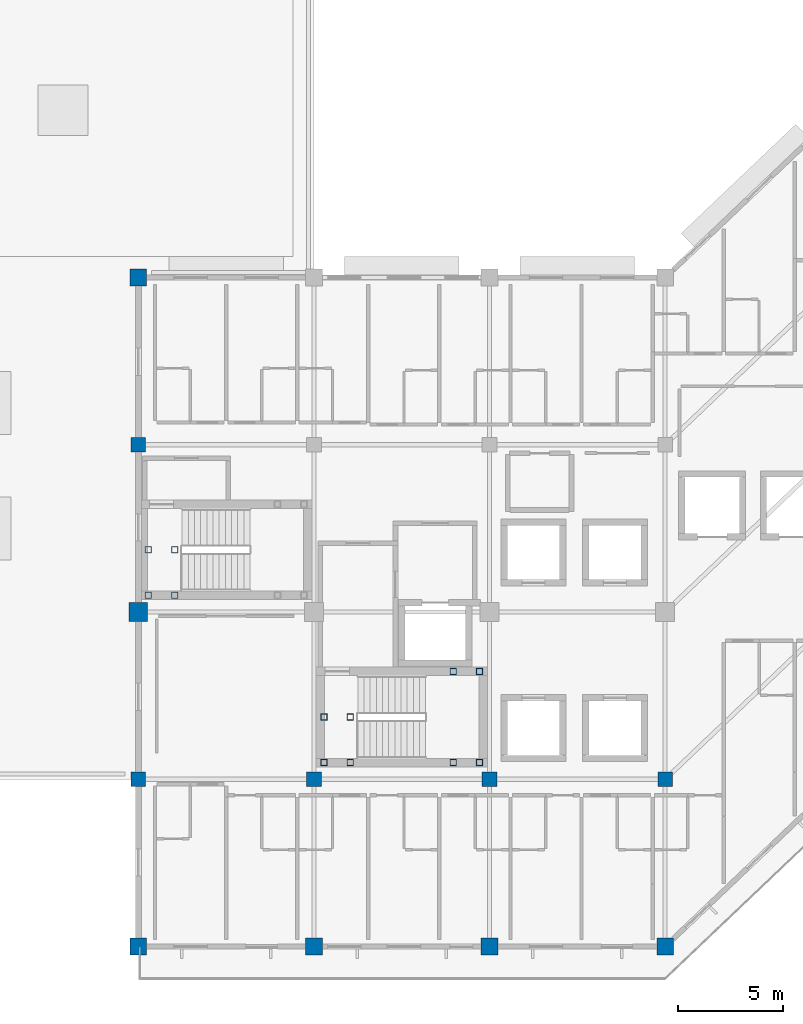
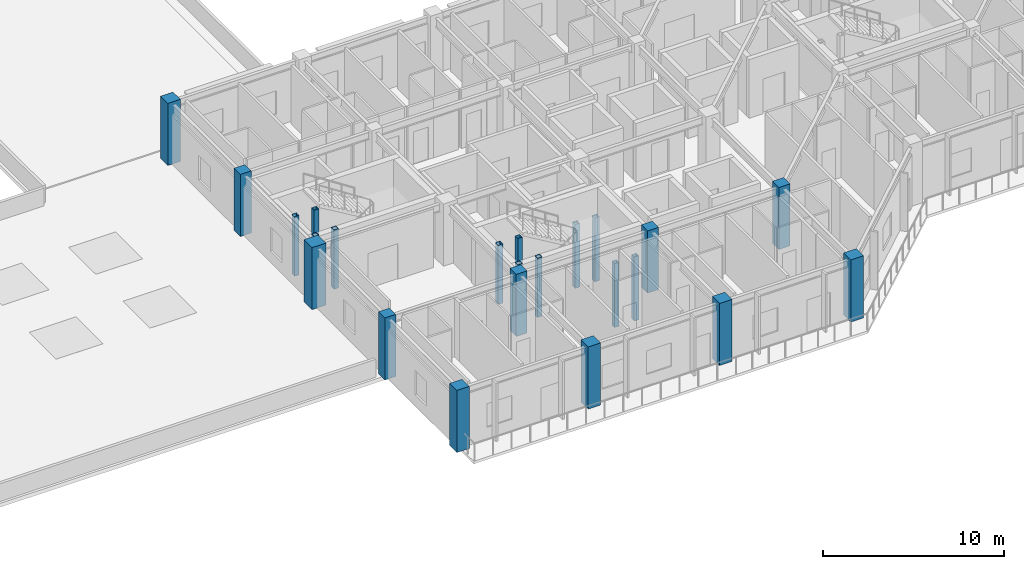
# One storey, part 1 of 22: 23 columns.
"""IFC4 building model written with IfcOpenShell, lengths in metres."""

from ifc_helpers import new_model, si_unit, direction, frame, origin, origin_2d, place, context, subcontext, project, spatial, rectangle, hollow_rectangle, extrude, material, material_profile, profile_set, type_object, element, save


model = new_model("IFC4")

# Units and contexts
model_context = context("Model", 3, precision=1e-05, world=origin(), true_north=direction((0.0, 1.0)))
body_context = subcontext(model_context, "Body", "Model", "MODEL_VIEW")
ifc_project = project(units=[si_unit("LENGTHUNIT", "METRE"), si_unit("AREAUNIT", "SQUARE_METRE"), si_unit("VOLUMEUNIT", "CUBIC_METRE"), si_unit("PLANEANGLEUNIT", "RADIAN"), si_unit("MASSUNIT", "GRAM", prefix="KILO")], contexts=[model_context])

# Site, building, storey
site_placement = place(None, origin())
site = spatial("IfcSite", under=ifc_project, at=site_placement, CompositionType="ELEMENT")
building_placement = place(site_placement, origin())
building = spatial("IfcBuilding", under=site, at=building_placement, Name="Naruveol Harbour Congress Hotel", CompositionType="ELEMENT")
storey_placement = place(building_placement, frame((0.0, 0.0, 21.0)))
storey = spatial("IfcBuildingStorey", under=building, at=storey_placement, Name="L04", CompositionType="ELEMENT", Elevation=21.0)

# Columns
ifc_material_1 = material(Name="Concrete C40/50", Category="concrete")
ifc_material_profile_1 = material_profile(ifc_material_1, rectangle(XDim=0.699951171875, YDim=0.699951171875, at=origin_2d()), Name="RC-700x700")
ifc_profile_set_1 = profile_set([ifc_material_profile_1], Name="Concrete C40/50")
column_type_1 = type_object("IfcColumnType", Name="RC HOTEL COLUMN 700X700", PredefinedType="COLUMN", material=ifc_profile_set_1)
for number, where, z_axis, x_axis, name in (
    (1, (117.60009765625, 8.0, 0.0), (0.0, 0.0, 1.0), (1.0, 0.0, 0.0), "Planted hotel column C-700 L04 S0/J1"),
    (2, (117.60009765625, 24.0, 0.0), (0.0, 0.0, 1.0), (1.0, 0.0, 0.0), "Planted hotel column C-700 L04 S0/J3"),
    (3, (126.0, 8.0, 0.0), (0.0, 0.0, 1.0), (1.0, 0.0, 0.0), "Planted hotel column C-700 L04 S1/J1"),
    (4, (134.39990234375, 8.0, 0.0), (0.0, 0.0, 1.0), (1.0, 0.0, 0.0), "Planted hotel column C-700 L04 S2/J1"),
    (5, (142.800048828125, 8.0, 0.0), (0.0, 0.0, 1.0), (1.0, 0.0, 0.0), "Planted hotel column C-700 L04 S3/J1"),
):
    element("IfcColumn", number, at=place(storey_placement, frame(where, z_axis=z_axis, x_axis=x_axis)), inside=storey, type_object=column_type_1, Name=name, PredefinedType="COLUMN", context=body_context, shape_type="SweptSolid", body=[
        extrude(rectangle(XDim=0.699951171875, YDim=0.699951171875, at=origin_2d()), origin(), (0.0, 0.0, 1.0), 4.199951171875),
    ])
ifc_material_2 = material(Name="Concrete C50/60", Category="concrete")
ifc_material_profile_2 = material_profile(ifc_material_2, rectangle(XDim=0.800048828125, YDim=0.800048828125, at=origin_2d()), Name="RC-800x800")
ifc_profile_set_2 = profile_set([ifc_material_profile_2], Name="Concrete C50/60")
column_type_2 = type_object("IfcColumnType", Name="RC PODIUM COLUMN 800X800", PredefinedType="COLUMN", material=ifc_profile_set_2)
for number, where, z_axis, x_axis, name in (
    (6, (117.60009765625, 0.0, 0.0), (0.0, 0.0, 1.0), (1.0, 0.0, 0.0), "Column C-800 L04 (117.6,0.0)"),
    (7, (117.60009765625, 32.0, 0.0), (0.0, 0.0, 1.0), (1.0, 0.0, 0.0), "Column C-800 L04 (117.6,32.0)"),
    (8, (126.0, 0.0, 0.0), (0.0, 0.0, 1.0), (1.0, 0.0, 0.0), "Column C-800 L04 (126.0,0.0)"),
    (9, (134.39990234375, 0.0, 0.0), (0.0, 0.0, 1.0), (1.0, 0.0, 0.0), "Column C-800 L04 (134.4,0.0)"),
    (10, (142.800048828125, 0.0, 0.0), (0.0, 0.0, 1.0), (1.0, 0.0, 0.0), "Column C-800 L04 (142.8,0.0)"),
):
    element("IfcColumn", number, at=place(storey_placement, frame(where, z_axis=z_axis, x_axis=x_axis)), inside=storey, type_object=column_type_2, Name=name, PredefinedType="COLUMN", context=body_context, shape_type="SweptSolid", body=[
        extrude(rectangle(XDim=0.800048828125, YDim=0.800048828125, at=origin_2d()), origin(), (0.0, 0.0, 1.0), 4.199951171875),
    ])
ifc_material_3 = material(Name="Concrete C50/60", Category="concrete")
ifc_material_profile_3 = material_profile(ifc_material_3, rectangle(XDim=0.89990234375, YDim=0.89990234375, at=origin_2d()), Name="RC-900x900")
ifc_profile_set_3 = profile_set([ifc_material_profile_3], Name="Concrete C50/60")
column_type_3 = type_object("IfcColumnType", Name="RC PRIMARY COLUMN 900X900", PredefinedType="COLUMN", material=ifc_profile_set_3)
column_placement = place(storey_placement, frame((117.60009765625, 16.0, 0.0), z_axis=(0.0, 0.0, 1.0), x_axis=(1.0, 0.0, 0.0)))
element("IfcColumn", 11, at=column_placement, inside=storey, type_object=column_type_3, Name="Column C-900 L04 (117.6,16.0)", PredefinedType="COLUMN", context=body_context, shape_type="SweptSolid", body=[
    extrude(rectangle(XDim=0.89990234375, YDim=0.89990234375, at=origin_2d()), origin(), (0.0, 0.0, 1.0), 4.199951171875),
])
ifc_material_4 = material(Name="Steel SN490", Category="steel")
ifc_material_profile_4 = material_profile(ifc_material_4, hollow_rectangle(XDim=0.300048828125, YDim=0.300048828125, WallThickness=0.011962890625, at=origin_2d()), Name="SHS-300x300x12")
ifc_profile_set_4 = profile_set([ifc_material_profile_4], Name="Steel SN490")
column_type_4 = type_object("IfcColumnType", Name="STEEL COLONNADE POST SHS300", PredefinedType="COLUMN", material=ifc_profile_set_4)
for number, where, z_axis, x_axis, name in (
    (12, (126.47998046875, 8.800048828125, 0.0), (0.0, 0.0, 1.0), (1.0, 0.0, 0.0), "Stair landing support post ST1W #6"),
    (13, (126.47998046875, 10.97998046875, 0.0), (0.0, 0.0, 1.0), (1.0, 0.0, 0.0), "Stair landing support post ST1W #18"),
    (14, (127.739990234375, 8.800048828125, 0.0), (0.0, 0.0, 1.0), (1.0, 0.0, 0.0), "Stair landing support post ST1W #30"),
    (15, (127.739990234375, 10.97998046875, 0.0), (0.0, 0.0, 1.0), (1.0, 0.0, 0.0), "Stair landing support post ST1W #42"),
):
    element("IfcColumn", number, at=place(storey_placement, frame(where, z_axis=z_axis, x_axis=x_axis)), inside=storey, type_object=column_type_4, Name=name, PredefinedType="COLUMN", context=body_context, shape_type="SweptSolid", body=[
        extrude(hollow_rectangle(XDim=0.300048828125, YDim=0.300048828125, WallThickness=0.011962890625, at=origin_2d()), origin(), (0.0, 0.0, 1.0), 4.02001953125),
    ])
for number, where, z_axis, x_axis, name in (
    (16, (132.659912109375, 8.800048828125, -2.39990234375), (0.0, 0.0, 1.0), (1.0, 0.0, 0.0), "Stair landing support post ST1E #54"),
    (17, (132.659912109375, 13.159912109375, -2.39990234375), (0.0, 0.0, 1.0), (1.0, 0.0, 0.0), "Stair landing support post ST1E #66"),
    (18, (133.919921875, 8.800048828125, -2.39990234375), (0.0, 0.0, 1.0), (1.0, 0.0, 0.0), "Stair landing support post ST1E #78"),
    (19, (133.919921875, 13.159912109375, -2.39990234375), (0.0, 0.0, 1.0), (1.0, 0.0, 0.0), "Stair landing support post ST1E #90"),
):
    element("IfcColumn", number, at=place(storey_placement, frame(where, z_axis=z_axis, x_axis=x_axis)), inside=storey, type_object=column_type_4, Name=name, PredefinedType="COLUMN", context=body_context, shape_type="SweptSolid", body=[
        extrude(hollow_rectangle(XDim=0.300048828125, YDim=0.300048828125, WallThickness=0.011962890625, at=origin_2d()), origin(), (0.0, 0.0, 1.0), 4.31982421875),
    ])
for number, where, z_axis, x_axis, name in (
    (20, (118.080078125, 16.800048828125, 0.0), (0.0, 0.0, 1.0), (1.0, 0.0, 0.0), "Stair landing support post ST3W #198"),
    (21, (118.080078125, 18.97998046875, 0.0), (0.0, 0.0, 1.0), (1.0, 0.0, 0.0), "Stair landing support post ST3W #208"),
    (22, (119.340087890625, 16.800048828125, 0.0), (0.0, 0.0, 1.0), (1.0, 0.0, 0.0), "Stair landing support post ST3W #218"),
    (23, (119.340087890625, 18.97998046875, 0.0), (0.0, 0.0, 1.0), (1.0, 0.0, 0.0), "Stair landing support post ST3W #228"),
):
    element("IfcColumn", number, at=place(storey_placement, frame(where, z_axis=z_axis, x_axis=x_axis)), inside=storey, type_object=column_type_4, Name=name, PredefinedType="COLUMN", context=body_context, shape_type="SweptSolid", body=[
        extrude(hollow_rectangle(XDim=0.300048828125, YDim=0.300048828125, WallThickness=0.011962890625, at=origin_2d()), origin(), (0.0, 0.0, 1.0), 4.02001953125),
    ])

save(model, "model.ifc")
